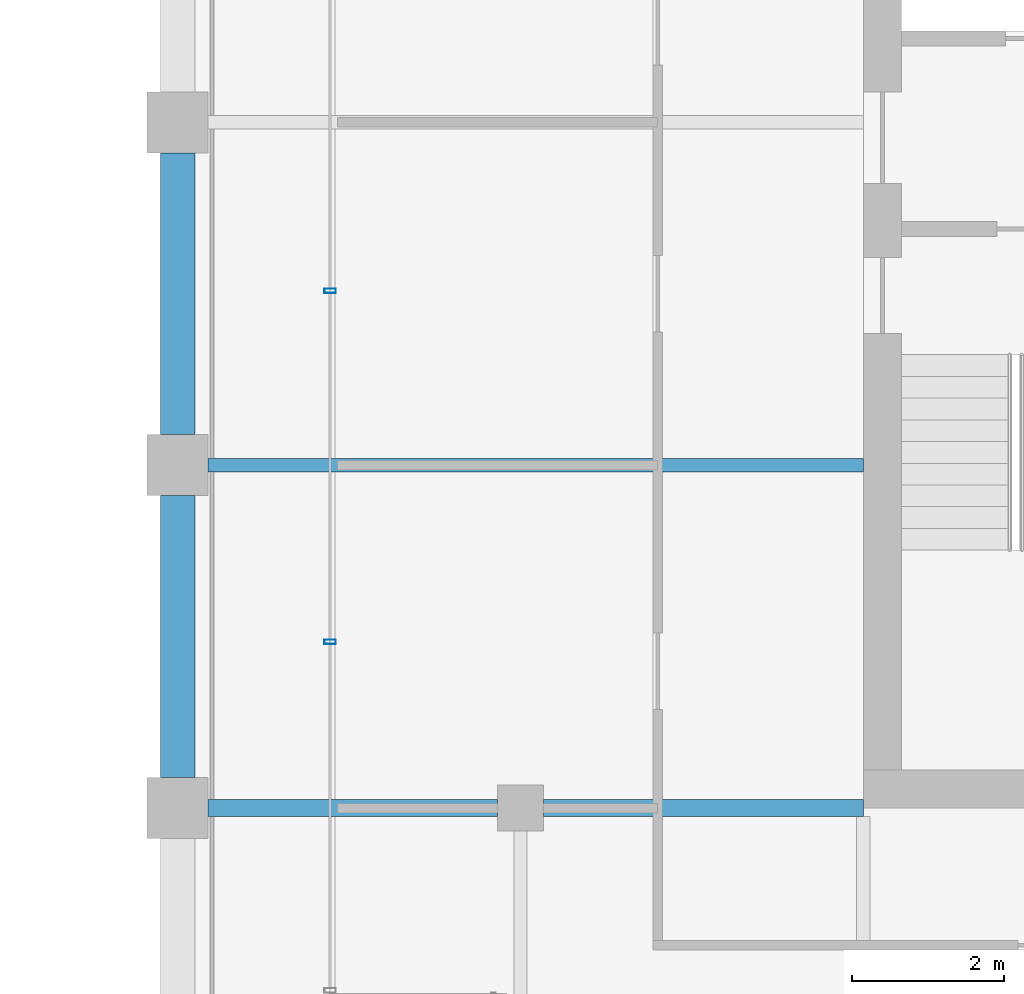
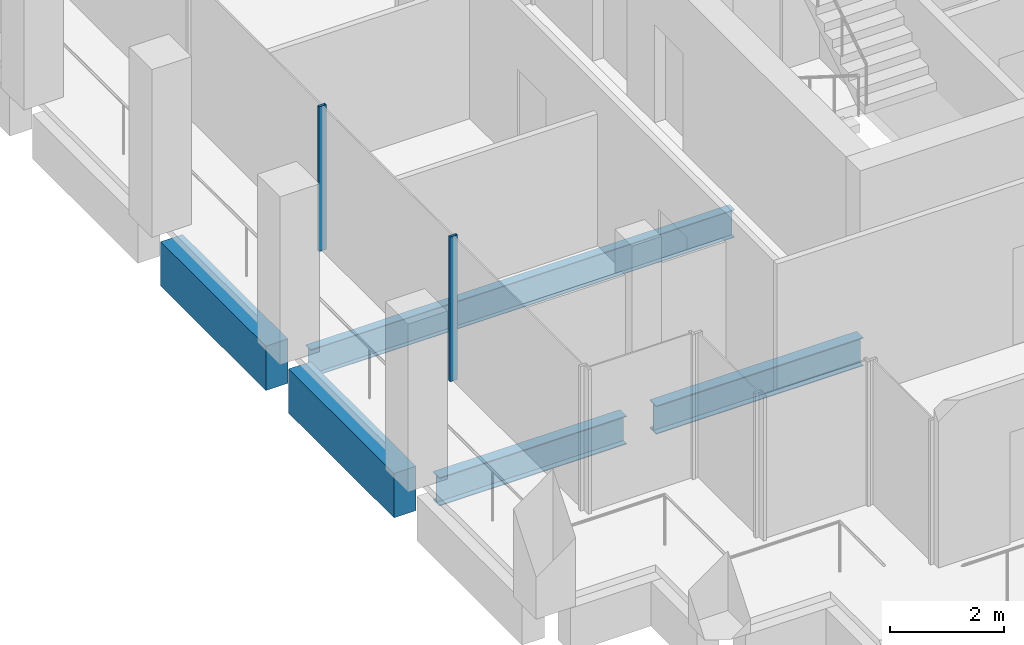
# One storey, part 30 of 40: 5 beams, 2 members, 1 element without a shape of its own.
"""IFC4 building model written with IfcOpenShell, lengths in metres."""

from ifc_helpers import new_model, si_unit, direction, frame, origin, origin_2d, place, context, subcontext, project, spatial, rectangle, hollow_rectangle, i_section, extrude, material, material_profile, profile_set, type_object, element, aggregate, save


model = new_model("IFC4")

# Units and contexts
model_context = context("Model", 3, precision=1e-05, world=origin(), true_north=direction((0.0, 1.0)))
body_context = subcontext(model_context, "Body", "Model", "MODEL_VIEW")
ifc_project = project(units=[si_unit("LENGTHUNIT", "METRE"), si_unit("AREAUNIT", "SQUARE_METRE"), si_unit("VOLUMEUNIT", "CUBIC_METRE"), si_unit("PLANEANGLEUNIT", "RADIAN"), si_unit("MASSUNIT", "GRAM", prefix="KILO")], contexts=[model_context])

# Site, building, storey
site_placement = place(None, origin())
site = spatial("IfcSite", under=ifc_project, at=site_placement, CompositionType="ELEMENT")
building_placement = place(site_placement, origin())
building = spatial("IfcBuilding", under=site, at=building_placement, Name="Altepetl Exchange Towers", CompositionType="ELEMENT")
storey_placement = place(building_placement, frame((0.0, 0.0, 202.800048828125)))
storey = spatial("IfcBuildingStorey", under=building, at=storey_placement, Name="L51", CompositionType="ELEMENT", Elevation=202.800048828125)

# Beams
ifc_material_1 = material(Name="Steel S355", Category="steel")
ifc_material_profile_1 = material_profile(ifc_material_1, i_section(OverallWidth=0.177978515625, OverallDepth=0.59912109375, WebThickness=0.010009765625, FlangeThickness=0.0126953125, at=origin_2d()), Name="W24X55")
ifc_profile_set_1 = profile_set([ifc_material_profile_1], Name="Steel S355")
beam_type_1 = type_object("IfcBeamType", Name="Floor beam W24X55", PredefinedType="BEAM", material=ifc_profile_set_1)
beam_1_placement = place(storey_placement, frame((94.89990234375, 40.5, -0.449462890625), z_axis=(1.0, 0.0, 0.0), x_axis=(0.0, 1.0, 0.0)))
element("IfcBeam", 1, at=beam_1_placement, inside=storey, type_object=beam_type_1, Name="bm:B:L51:004", PredefinedType="BEAM", context=body_context, shape_type="SweptSolid", body=[
    extrude(i_section(OverallWidth=0.177978515625, OverallDepth=0.59912109375, WebThickness=0.010009765625, FlangeThickness=0.0126953125, at=origin_2d()), origin(), (0.0, 0.0, 1.0), 8.60009765625),
])
ifc_material_profile_2 = material_profile(ifc_material_1, i_section(OverallWidth=0.22802734375, OverallDepth=0.60791015625, WebThickness=0.01123046875, FlangeThickness=0.017333984375, at=origin_2d()), Name="W24X76")
ifc_profile_set_2 = profile_set([ifc_material_profile_2], Name="Steel S355")
beam_type_2 = type_object("IfcBeamType", Name="Girder W24X76", PredefinedType="BEAM", material=ifc_profile_set_2)
beam_2_placement = place(storey_placement, frame((103.5, 36.0, -0.4541015625), z_axis=(-1.0, 0.0, 0.0), x_axis=(0.0, -1.0, 0.0)))
element("IfcBeam", 2, at=beam_2_placement, inside=storey, type_object=beam_type_2, Name="gd:B:L51:000", PredefinedType="BEAM", context=body_context, shape_type="SweptSolid", body=[
    extrude(i_section(OverallWidth=0.22802734375, OverallDepth=0.60791015625, WebThickness=0.01123046875, FlangeThickness=0.017333984375, at=origin_2d()), origin(), (0.0, 0.0, 1.0), 4.199951171875),
])
beam_3_placement = place(storey_placement, frame((98.699951171875, 36.0, -0.4541015625), z_axis=(-1.0, 0.0, 0.0), x_axis=(0.0, -1.0, 0.0)))
element("IfcBeam", 3, at=beam_3_placement, inside=storey, type_object=beam_type_2, Name="gd:B:L51:001", PredefinedType="BEAM", context=body_context, shape_type="SweptSolid", body=[
    extrude(i_section(OverallWidth=0.22802734375, OverallDepth=0.60791015625, WebThickness=0.01123046875, FlangeThickness=0.017333984375, at=origin_2d()), origin(), (0.0, 0.0, 1.0), 3.800048828125),
])

# Curtain wall, members
ifc_material_2 = material(Name="Aluminium 6063-T6 glazing", Category="aluminium")
curtain_wall_type = type_object("IfcCurtainWallType", Name="Loggia glazing system", PredefinedType="NOTDEFINED", material=ifc_material_2)
curtain_wall_placement = place(storey_placement, origin())
curtain_wall = element("IfcCurtainWall", 4, at=curtain_wall_placement, inside=storey, type_object=curtain_wall_type, Name="CW1 run", PredefinedType="NOTDEFINED")
ifc_material_3 = material(Name="Aluminium 6063-T6", Category="aluminium")
ifc_material_profile_3 = material_profile(ifc_material_3, hollow_rectangle(XDim=0.06005859375, YDim=0.14990234375, WallThickness=0.0029296875, at=origin_2d()), Name="Mullion 60x150 aluminium")
ifc_profile_set_3 = profile_set([ifc_material_profile_3], Name="Aluminium 6063-T6")
member_type = type_object("IfcMemberType", Name="Mullion 60x150 aluminium", PredefinedType="MULLION", material=ifc_profile_set_3)
member_1_placement = place(storey_placement, frame((96.5, 42.78759765625, 0.0), z_axis=(0.0, 0.0, 1.0), x_axis=(0.0, -1.0, 0.0)))
member_1 = element("IfcMember", 5, at=member_1_placement, type_object=member_type, Name="MU1 mullion", PredefinedType="MULLION", context=body_context, shape_type="SweptSolid", body=[
    extrude(hollow_rectangle(XDim=0.06005859375, YDim=0.14990234375, WallThickness=0.0029296875, at=origin_2d()), origin(), (0.0, 0.0, 1.0), 3.099853515625),
])
member_2_placement = place(storey_placement, frame((96.5, 38.18115234375, 0.0), z_axis=(0.0, 0.0, 1.0), x_axis=(0.0, -1.0, 0.0)))
member_2 = element("IfcMember", 6, at=member_2_placement, type_object=member_type, Name="MU1 mullion", PredefinedType="MULLION", context=body_context, shape_type="SweptSolid", body=[
    extrude(hollow_rectangle(XDim=0.06005859375, YDim=0.14990234375, WallThickness=0.0029296875, at=origin_2d()), origin(), (0.0, 0.0, 1.0), 3.099853515625),
])
aggregate(curtain_wall, [member_1, member_2])

# Beams
ifc_material_4 = material(Name="Concrete C50/60 precast with cantera rosa facing", Category="concrete")
ifc_material_profile_4 = material_profile(ifc_material_4, rectangle(XDim=0.449951171875, YDim=0.949951171875, at=origin_2d()), Name="450 x 950")
ifc_profile_set_4 = profile_set([ifc_material_profile_4], Name="Concrete C50/60 precast with cantera rosa facing")
beam_type_3 = type_object("IfcBeamType", Name="Spandrel beam 450x950 cantera rosa", PredefinedType="SPANDREL", material=ifc_profile_set_4)
for number, where, z_axis, x_axis, name in (
    (7, (94.5, 44.60009765625, -0.625), (0.0, -1.0, 0.0), (1.0, 0.0, 0.0), "sp:B:L51:017"),
    (8, (94.5, 40.10009765625, -0.625), (0.0, -1.0, 0.0), (1.0, 0.0, 0.0), "sp:B:L51:018"),
):
    element("IfcBeam", number, at=place(storey_placement, frame(where, z_axis=z_axis, x_axis=x_axis)), inside=storey, type_object=beam_type_3, Name=name, PredefinedType="SPANDREL", context=body_context, shape_type="SweptSolid", body=[
        extrude(rectangle(XDim=0.449951171875, YDim=0.949951171875, at=origin_2d()), origin(), (0.0, 0.0, 1.0), 3.7001953125),
    ])

save(model, "model.ifc")
